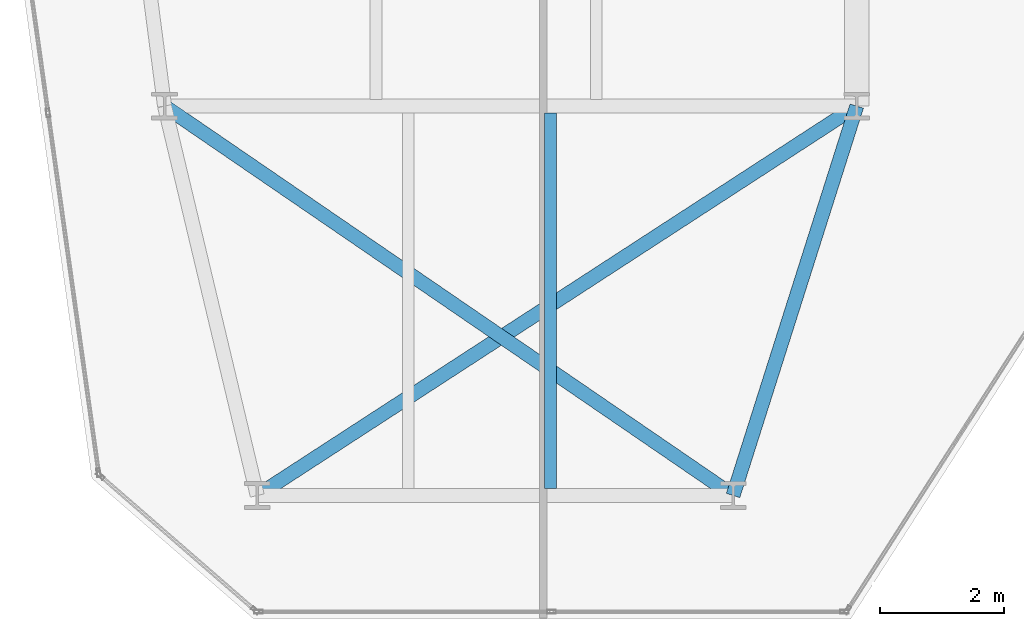
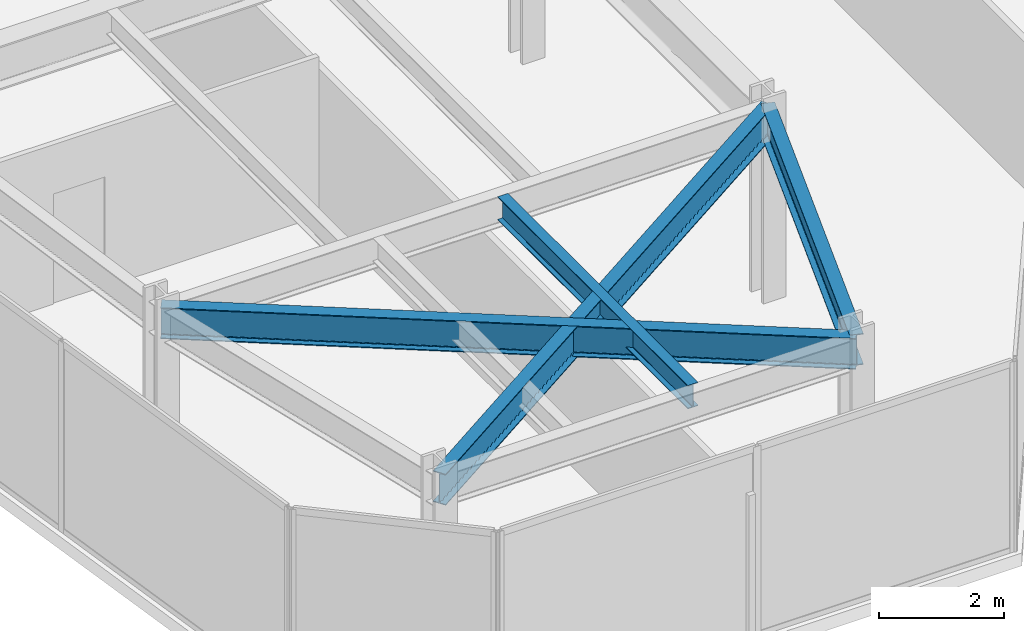
# One storey, part 4 of 26: 4 beams.
"""IFC4 building model written with IfcOpenShell, lengths in metres."""

from ifc_helpers import new_model, si_unit, direction, frame, origin, origin_2d, place, context, subcontext, project, spatial, i_section, extrude, material, material_profile, profile_set, type_object, element, save


model = new_model("IFC4")

# Units and contexts
model_context = context("Model", 3, precision=1e-05, world=origin(), true_north=direction((0.0, 1.0)))
body_context = subcontext(model_context, "Body", "Model", "MODEL_VIEW")
ifc_project = project(units=[si_unit("LENGTHUNIT", "METRE"), si_unit("AREAUNIT", "SQUARE_METRE"), si_unit("VOLUMEUNIT", "CUBIC_METRE"), si_unit("PLANEANGLEUNIT", "RADIAN"), si_unit("MASSUNIT", "GRAM", prefix="KILO")], contexts=[model_context])

# Site, building, storey
site_placement = place(None, origin())
site = spatial("IfcSite", under=ifc_project, at=site_placement, CompositionType="ELEMENT")
building_placement = place(site_placement, origin())
building = spatial("IfcBuilding", under=site, at=building_placement, Name="Kravanh Interchange Tower", CompositionType="ELEMENT")
storey_placement = place(building_placement, frame((0.0, 0.0, 152.0)))
storey = spatial("IfcBuildingStorey", under=building, at=storey_placement, Name="L36", CompositionType="ELEMENT", Elevation=152.0)

# Beams
ifc_material_1 = material(Name="Structural Steel S355", Category="steel")
ifc_material_profile_1 = material_profile(ifc_material_1, i_section(OverallWidth=0.18994140625, OverallDepth=0.45703125, WebThickness=0.009033203125, FlangeThickness=0.014404296875, FilletRadius=0.01806640625, at=origin_2d()), Name="W18X50")
ifc_profile_set_1 = profile_set([ifc_material_profile_1], Name="Structural Steel S355")
beam_type_1 = type_object("IfcBeamType", Name="Floor Joist W18X50 Structural Steel S355", PredefinedType="JOIST", material=ifc_profile_set_1)
beam_1_placement = place(storey_placement, frame((22.24609375, 8.30908203125, 3.491455078125), z_axis=(0.0, 1.0, 0.0), x_axis=(-1.0, 0.0, 0.0)))
element("IfcBeam", 1, at=beam_1_placement, inside=storey, type_object=beam_type_1, Name="L36 Secondary Floor Joist 2", PredefinedType="JOIST", context=body_context, shape_type="SweptSolid", body=[
    extrude(i_section(OverallWidth=0.18994140625, OverallDepth=0.45703125, WebThickness=0.009033203125, FlangeThickness=0.014404296875, FilletRadius=0.01806640625, at=origin_2d()), origin(), (0.0, 0.0, 1.0), 6.08203125),
])
ifc_material_2 = material(Name="Structural Steel S355", Category="steel")
ifc_material_profile_2 = material_profile(ifc_material_2, i_section(OverallWidth=0.22802734375, OverallDepth=0.60791015625, WebThickness=0.01123046875, FlangeThickness=0.017333984375, FilletRadius=0.02197265625, at=origin_2d()), Name="W24X76")
ifc_profile_set_2 = profile_set([ifc_material_profile_2], Name="Structural Steel S355")
beam_type_2 = type_object("IfcBeamType", Name="Floor Spandrel W24X76 Structural Steel S355", PredefinedType="SPANDREL", material=ifc_profile_set_2)
beam_2_placement = place(storey_placement, frame((17.5, 8.199951171875, 3.416015625), z_axis=(0.838637911458, 0.544689318295, 0.0), x_axis=(-0.544689318295, 0.838637911458, 0.0)))
element("IfcBeam", 2, at=beam_2_placement, inside=storey, type_object=beam_type_2, Name="L36 Perimeter Spandrel 36", PredefinedType="SPANDREL", context=body_context, shape_type="SweptSolid", body=[
    extrude(i_section(OverallWidth=0.22802734375, OverallDepth=0.60791015625, WebThickness=0.01123046875, FlangeThickness=0.017333984375, FilletRadius=0.02197265625, at=origin_2d()), origin(), (0.0, 0.0, 1.0), 11.56640625),
])
beam_3_placement = place(storey_placement, frame((25.199951171875, 8.199951171875, 3.416015625), z_axis=(0.30257700201, 0.953124943465, 0.0), x_axis=(-0.953124943465, 0.30257700201, 0.0)))
element("IfcBeam", 3, at=beam_3_placement, inside=storey, type_object=beam_type_2, Name="L36 Perimeter Spandrel 76", PredefinedType="SPANDREL", context=body_context, shape_type="SweptSolid", body=[
    extrude(i_section(OverallWidth=0.22802734375, OverallDepth=0.60791015625, WebThickness=0.01123046875, FlangeThickness=0.017333984375, FilletRadius=0.02197265625, at=origin_2d()), origin(), (0.0, 0.0, 1.0), 6.60986328125),
])
beam_4_placement = place(storey_placement, frame((25.199951171875, 8.199951171875, 3.416015625), z_axis=(-0.825083781107, 0.565010401811, 0.0), x_axis=(-0.565010401811, -0.825083781107, 0.0)))
element("IfcBeam", 4, at=beam_4_placement, inside=storey, type_object=beam_type_2, Name="L36 Perimeter Spandrel 77", PredefinedType="SPANDREL", context=body_context, shape_type="SweptSolid", body=[
    extrude(i_section(OverallWidth=0.22802734375, OverallDepth=0.60791015625, WebThickness=0.01123046875, FlangeThickness=0.017333984375, FilletRadius=0.02197265625, at=origin_2d()), origin(), (0.0, 0.0, 1.0), 11.150390625),
])

save(model, "model.ifc")
